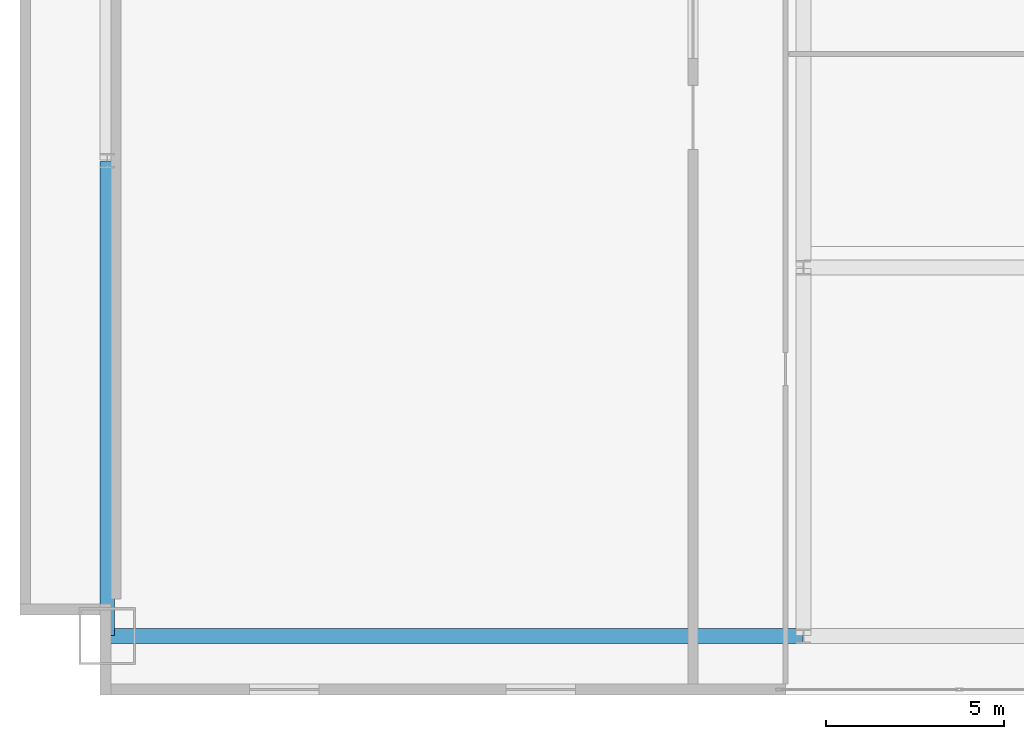
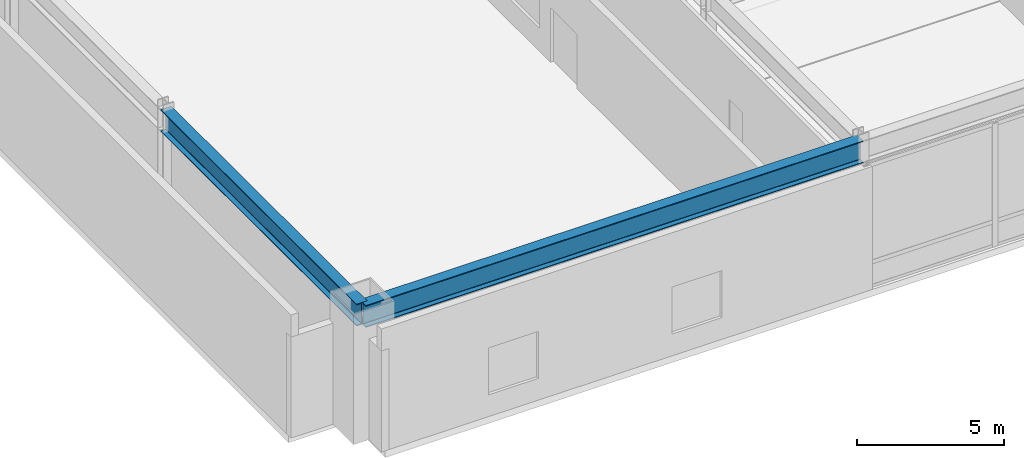
# One storey, part 3 of 12: 2 beams.
"""IFC4 building model written with IfcOpenShell, lengths in metres."""

from ifc_helpers import new_model, si_unit, direction, frame, origin, origin_2d, place, context, subcontext, project, spatial, i_section, extrude, source, transform, mapped, material, material_profile, profile_set, type_object, type_shapes, element, save


model = new_model("IFC4")

# Units and contexts
model_context = context("Model", 3, precision=1e-05, world=origin(), true_north=direction((0.0, 1.0)))
body_context = subcontext(model_context, "Body", "Model", "MODEL_VIEW")
ifc_project = project(units=[si_unit("LENGTHUNIT", "METRE"), si_unit("AREAUNIT", "SQUARE_METRE"), si_unit("VOLUMEUNIT", "CUBIC_METRE"), si_unit("PLANEANGLEUNIT", "RADIAN"), si_unit("MASSUNIT", "GRAM", prefix="KILO")], contexts=[model_context])

# Site, building, storey
site_placement = place(None, origin())
site = spatial("IfcSite", under=ifc_project, at=site_placement, CompositionType="ELEMENT")
building_placement = place(site_placement, origin())
building = spatial("IfcBuilding", under=site, at=building_placement, Name="Varnel Quay Broadcast Tower", CompositionType="ELEMENT")
storey_placement = place(building_placement, frame((0.0, 0.0, 11.39990234375)))
storey = spatial("IfcBuildingStorey", under=building, at=storey_placement, Name="L02", CompositionType="ELEMENT", Elevation=11.39990234375)

# Beams
ifc_material = material(Name="Structural Steel CSA G40.21 350W", Category="steel")
ifc_material_profile = material_profile(ifc_material, i_section(OverallWidth=0.41796875, OverallDepth=0.912109375, WebThickness=0.019287109375, FlangeThickness=0.031982421875, FilletRadius=0.02197265625, at=origin_2d()), Name="W920X342")
ifc_profile_set = profile_set([ifc_material_profile], Name="Structural Steel CSA G40.21 350W")
beam_type = type_object("IfcBeamType", Name="Girder_W920X342", PredefinedType="BEAM", material=ifc_profile_set)
shared_shape_1 = source(origin(), body_context, "Body", "SweptSolid", [
    extrude(i_section(OverallWidth=0.41796875, OverallDepth=0.912109375, WebThickness=0.019287109375, FlangeThickness=0.031982421875, FilletRadius=0.02197265625, at=origin_2d()), origin(), (0.0, 0.0, 1.0), 19.510009765625),
])
beam_1_placement = place(storey_placement, frame((2.469970703125, 1.64990234375, 4.6640625), z_axis=(1.0, 0.0, 0.0), x_axis=(0.0, 1.0, 0.0)))
element("IfcBeam", 1, at=beam_1_placement, inside=storey, type_object=beam_type, Name="L02 Girder G-PS1", PredefinedType="BEAM", context=body_context, shape_type="MappedRepresentation", body=[
    mapped(shared_shape_1, transform((0.0, 0.0, 0.0), x_axis=(1.0, 0.0, 0.0), y_axis=(0.0, 1.0, 0.0), z_axis=(0.0, 0.0, 1.0), scale=1.0)),
])
shared_shape_2 = source(origin(), body_context, "Body", "SweptSolid", [
    extrude(i_section(OverallWidth=0.41796875, OverallDepth=0.912109375, WebThickness=0.019287109375, FlangeThickness=0.031982421875, FilletRadius=0.02197265625, at=origin_2d()), origin(), (0.0, 0.0, 1.0), 13.31005859375),
])
type_shapes(beam_type, [shared_shape_1, shared_shape_2])
beam_2_placement = place(storey_placement, frame((2.449951171875, 1.669921875, 4.6640625), z_axis=(0.0, 1.0, 0.0), x_axis=(-1.0, 0.0, 0.0)))
element("IfcBeam", 2, at=beam_2_placement, inside=storey, type_object=beam_type, Name="L02 Girder G-PW1", PredefinedType="BEAM", context=body_context, shape_type="MappedRepresentation", body=[
    mapped(shared_shape_2, transform((0.0, 0.0, 0.0), x_axis=(1.0, 0.0, 0.0), y_axis=(0.0, 1.0, 0.0), z_axis=(0.0, 0.0, 1.0), scale=1.0)),
])

save(model, "model.ifc")
